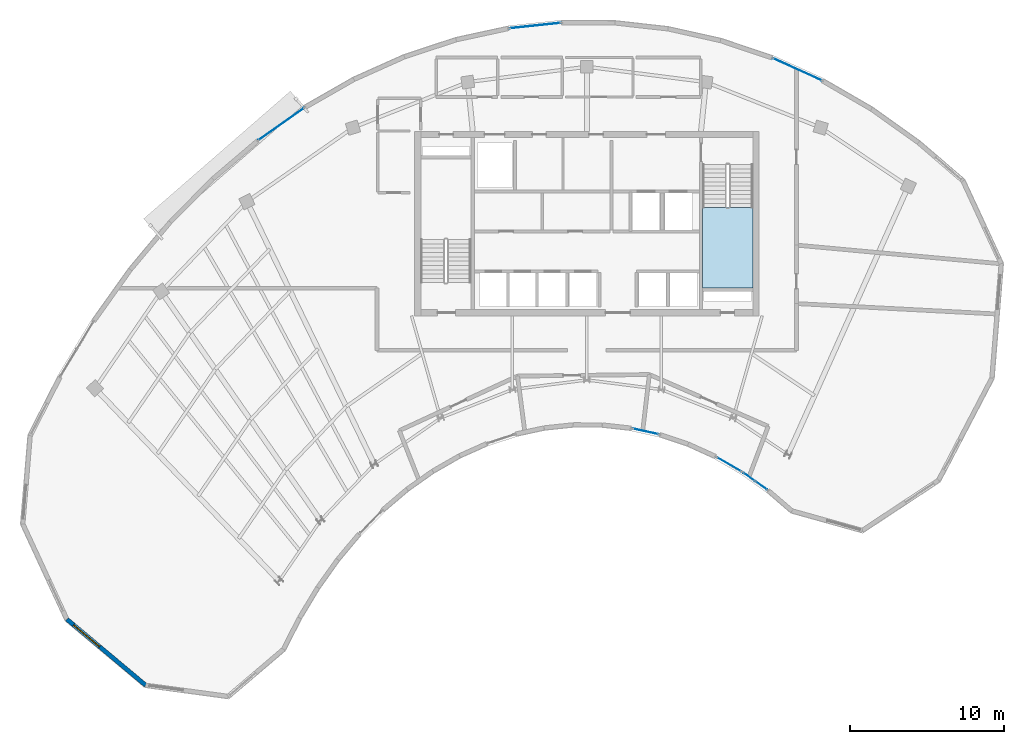
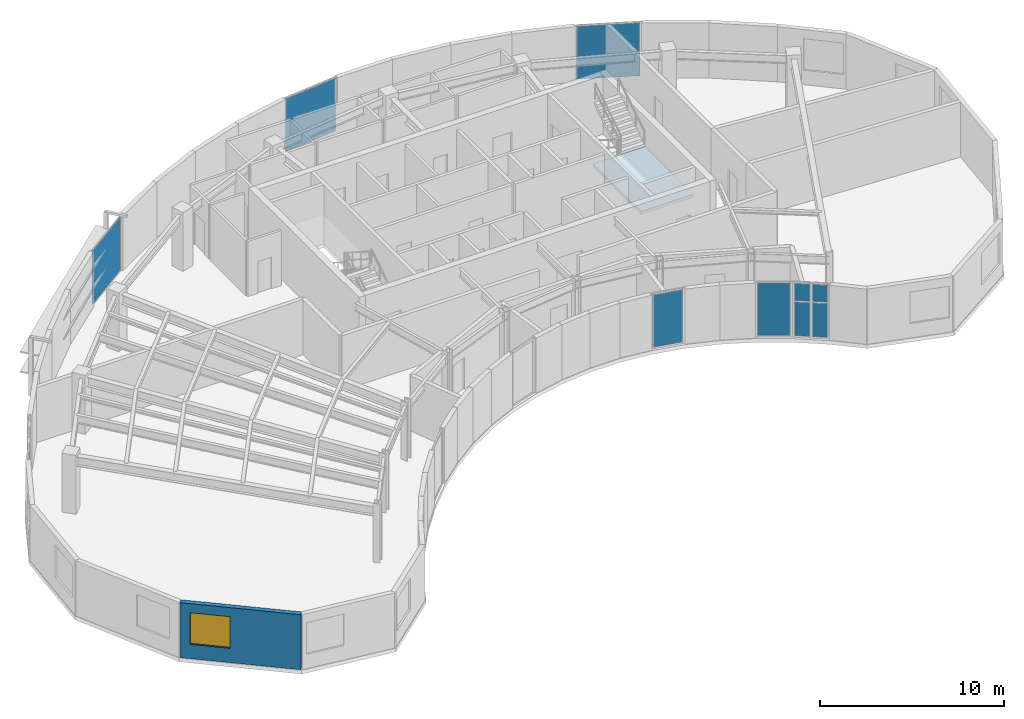
# One storey, part 7 of 12: 9 plates, 1 slab, 1 wall, 1 window, 1 opening, 7 elements without a shape of their own.
"""IFC4 building model written with IfcOpenShell, lengths in metres."""

import ifcopenshell
import ifcopenshell.guid

model = None  # the IFC model being written
_history = None  # IfcOwnerHistory: only IFC2X3 demands one
_inside = {}  # id of a spatial element -> (the spatial element, [elements in it])
_under = {}  # id of a project, library or spatial element -> (it, [spatial elements below it])
_declared = {}  # id of a project -> (the project, [libraries it declares])
_typed = {}  # id of a type object -> (the type object, [elements of that type])
_made_of = {}  # id of a material, layer set ... -> (it, [elements and type objects made of it])


def new_model(schema):
    """Start an empty IFC model of exactly this schema.

    Asked for "IFC4X3", IfcOpenShell would pick the latest addendum, in which some entities
    have other attributes; the version numbers below select the first issue.
    IFC2X3 requires an IfcOwnerHistory on every rooted entity: one is made here for all.
    """
    global model, _history
    if schema == "IFC4X3":
        model = ifcopenshell.file(schema_version=(4, 3, 0, 0))
    else:
        model = ifcopenshell.file(schema=schema)
    _inside.clear()
    _under.clear()
    _declared.clear()
    _typed.clear()
    _made_of.clear()
    _history = None
    if model.schema == "IFC2X3":
        org = make("IfcOrganization", Name="unknown")
        user = make(
            "IfcPersonAndOrganization",
            ThePerson=make("IfcPerson", FamilyName="unknown"),
            TheOrganization=org,
        )
        app = make(
            "IfcApplication",
            ApplicationDeveloper=org,
            Version="unknown",
            ApplicationFullName="unknown",
            ApplicationIdentifier="unknown",
        )
        _history = make(
            "IfcOwnerHistory",
            OwningUser=user,
            OwningApplication=app,
            ChangeAction="ADDED",
            CreationDate=0,
        )
    return model


def make(cls, **values):
    """One entity of the class cls with the attributes given. An attribute that is None is left unset."""
    return model.create_entity(
        cls, **{name: value for name, value in values.items() if value is not None}
    )


def rooted(cls, **values):
    """An entity with a GlobalId (a new one), such as an element, a storey or a relation."""
    return make(cls, GlobalId=ifcopenshell.guid.new(), OwnerHistory=_history, **values)


def si_unit(unit_type, name, prefix=None):
    """IfcSIUnit, for example si_unit("LENGTHUNIT", "METRE", prefix="MILLI")."""
    return make("IfcSIUnit", UnitType=unit_type, Prefix=prefix, Name=name)


def assignment(units):
    """IfcUnitAssignment: the units of a project."""
    return None if units is None else make("IfcUnitAssignment", Units=units)


def point(xyz):
    """IfcCartesianPoint."""
    return None if xyz is None else make("IfcCartesianPoint", Coordinates=xyz)


def direction(xyz):
    """IfcDirection."""
    return None if xyz is None else make("IfcDirection", DirectionRatios=xyz)


def frame(location, z_axis=None, x_axis=None):
    """IfcAxis2Placement3D, a coordinate frame: its origin and axes. An axis left out is left unset."""
    return make(
        "IfcAxis2Placement3D",
        Location=point(location),
        Axis=direction(z_axis),
        RefDirection=direction(x_axis),
    )


def frame_2d(location, x_axis=None):
    """IfcAxis2Placement2D, a coordinate frame in the plane: its origin and x axis."""
    return make(
        "IfcAxis2Placement2D", Location=point(location), RefDirection=direction(x_axis)
    )


def origin():
    """The frame at (0, 0, 0) with its axes left unset."""
    return frame((0.0, 0.0, 0.0))


def origin_2d():
    """The frame at (0, 0) in the plane with its x axis left unset."""
    return frame_2d((0.0, 0.0))


def place(relative_to, where):
    """IfcLocalPlacement: puts the frame where relative to a parent placement (None: the world)."""
    return make(
        "IfcLocalPlacement", PlacementRelTo=relative_to, RelativePlacement=where
    )


def context(
    kind, dimensions, precision=None, world=None, true_north=None, identifier=None
):
    """IfcGeometricRepresentationContext, for example the 3D "Model" context."""
    return make(
        "IfcGeometricRepresentationContext",
        ContextIdentifier=identifier,
        ContextType=kind,
        CoordinateSpaceDimension=dimensions,
        Precision=precision,
        WorldCoordinateSystem=world,
        TrueNorth=true_north,
    )


def subcontext(parent, identifier, kind, view, scale=None):
    """IfcGeometricRepresentationSubContext, for example "Body" below "Model"."""
    return make(
        "IfcGeometricRepresentationSubContext",
        ContextIdentifier=identifier,
        ContextType=kind,
        ParentContext=parent,
        TargetScale=scale,
        TargetView=view,
    )


def project(units=None, contexts=None):
    """IfcProject with its units and contexts."""
    return rooted(
        "IfcProject",
        Name="project",
        RepresentationContexts=contexts,
        UnitsInContext=assignment(units),
    )


def spatial(cls, under=None, at=None, **own):
    """A site, building, storey or space (cls), placed at a placement, below another one or the project."""
    s = rooted(cls, ObjectPlacement=at, **own)
    if under is not None:
        _under.setdefault(under.id(), (under, []))[1].append(s)
    return s


def polyline(points):
    """IfcPolyline through the points."""
    return make("IfcPolyline", Points=[point(p) for p in points])


def profile(cls, at=None, kind="AREA", **sizes):
    """A parametric profile (cls). Its sizes go by their IFC names, for example OverallWidth=200.0."""
    return make(cls, ProfileType=kind, Position=at, **sizes)


def rectangle(**sizes):
    """IfcRectangleProfileDef."""
    return profile("IfcRectangleProfileDef", **sizes)


def outline(outer, holes=None, kind="AREA"):
    """IfcArbitraryClosedProfileDef: a profile drawn as a closed curve; with holes, ...WithVoids."""
    if holes is None:
        return make("IfcArbitraryClosedProfileDef", ProfileType=kind, OuterCurve=outer)
    return make(
        "IfcArbitraryProfileDefWithVoids",
        ProfileType=kind,
        OuterCurve=outer,
        InnerCurves=holes,
    )


def extrude(swept, where, along, depth):
    """IfcExtrudedAreaSolid: the profile swept, set in the frame where, extruded along a direction by depth."""
    return make(
        "IfcExtrudedAreaSolid",
        SweptArea=swept,
        Position=where,
        ExtrudedDirection=direction(along),
        Depth=depth,
    )


def shape(context_of_items, identifier, shape_type, items):
    """IfcShapeRepresentation: the items that make up one representation, for example the "Body"."""
    return make(
        "IfcShapeRepresentation",
        ContextOfItems=context_of_items,
        RepresentationIdentifier=identifier,
        RepresentationType=shape_type,
        Items=items,
    )


def source(mapping_origin, context_of_items, identifier, shape_type, items):
    """IfcRepresentationMap: a shape defined once, which mapped items show again and again."""
    return make(
        "IfcRepresentationMap",
        MappingOrigin=mapping_origin,
        MappedRepresentation=shape(context_of_items, identifier, shape_type, items),
    )


def transform(
    local_origin,
    x_axis=None,
    y_axis=None,
    z_axis=None,
    scale=None,
    scale2=None,
    scale3=None,
    uniform=True,
):
    """IfcCartesianTransformationOperator3D, or its non-uniform kind. x_axis, y_axis, z_axis: its Axis1, 2, 3."""
    if uniform:
        return make(
            "IfcCartesianTransformationOperator3D",
            Axis1=direction(x_axis),
            Axis2=direction(y_axis),
            LocalOrigin=point(local_origin),
            Scale=scale,
            Axis3=direction(z_axis),
        )
    return make(
        "IfcCartesianTransformationOperator3DnonUniform",
        Axis1=direction(x_axis),
        Axis2=direction(y_axis),
        LocalOrigin=point(local_origin),
        Scale=scale,
        Axis3=direction(z_axis),
        Scale2=scale2,
        Scale3=scale3,
    )


def mapped(mapping_source, mapping_target):
    """IfcMappedItem: shows the shape of a source again, moved by a transform."""
    return make(
        "IfcMappedItem", MappingSource=mapping_source, MappingTarget=mapping_target
    )


def material(Name=None, Category=None):
    """IfcMaterial."""
    return make("IfcMaterial", Name=Name, Category=Category)


def layer(
    of_material, thickness, ventilated=None, Name=None, Category=None, Priority=None
):
    """IfcMaterialLayer: one layer of a wall or slab, of a material (None: an air gap)."""
    return make(
        "IfcMaterialLayer",
        Material=of_material,
        LayerThickness=thickness,
        IsVentilated=ventilated,
        Name=Name,
        Category=Category,
        Priority=Priority,
    )


def layer_set(layers, Name=None):
    """IfcMaterialLayerSet."""
    return make("IfcMaterialLayerSet", MaterialLayers=layers, LayerSetName=Name)


def made_of(thing, what):
    """Note that an element or type object is made of a material, layer set ...; save() writes the relation."""
    if what is not None:
        _made_of.setdefault(what.id(), (what, []))[1].append(thing)
    return thing


def type_object(cls, material=None, **own):
    """A type object (cls), such as IfcWallType, which elements share."""
    return made_of(rooted(cls, **own), material)


def type_shapes(of_type, sources):
    """Give a type object the sources (RepresentationMaps) that its elements show as mapped items."""
    of_type.RepresentationMaps = sources


def element(
    cls,
    number,
    at=None,
    inside=None,
    cuts=None,
    type_object=None,
    material=None,
    context=None,
    identifier="Body",
    shape_type=None,
    held_by="IfcProductDefinitionShape",
    body=None,
    shapes=None,
    **own,
):
    """One element of the class cls, such as IfcWall. Its Tag is "e" and its number.

    at: its placement. inside: the storey or other place that contains it. cuts: it is an
    opening in that element (IfcRelVoidsElement). A single representation is given by context,
    identifier, shape_type and body (its items); several are given by shapes. held_by: the class
    of the entity that holds the representations. save() writes the other relations.
    """
    e = rooted(cls, Tag="e%d" % number, ObjectPlacement=at, **own)
    if body is not None:
        shapes = [shape(context, identifier, shape_type, body)]
    if shapes is not None:
        e.Representation = make(held_by, Representations=shapes)
    if inside is not None:
        _inside.setdefault(inside.id(), (inside, []))[1].append(e)
    if cuts is not None:
        rooted(
            "IfcRelVoidsElement", RelatingBuildingElement=cuts, RelatedOpeningElement=e
        )
    if type_object is not None:
        _typed.setdefault(type_object.id(), (type_object, []))[1].append(e)
    return made_of(e, material)


def fill(opening, filler):
    """IfcRelFillsElement: the door or window that sits in an opening."""
    return rooted(
        "IfcRelFillsElement",
        RelatingOpeningElement=opening,
        RelatedBuildingElement=filler,
    )


def aggregate(whole, parts):
    """IfcRelAggregates: a whole, such as a stair, and the parts it consists of."""
    return rooted("IfcRelAggregates", RelatingObject=whole, RelatedObjects=parts)


def save(model, path):
    """Write the relations noted so far, then the file.

    IfcRelAggregates (storeys below a building ...), IfcRelContainedInSpatialStructure (elements
    in a storey), IfcRelDefinesByType, IfcRelAssociatesMaterial and IfcRelDeclares: one each for
    every whole, place, type object, material and project.
    """
    for whole, parts in _under.values():
        aggregate(whole, parts)
    for where, things in _inside.values():
        rooted(
            "IfcRelContainedInSpatialStructure",
            RelatedElements=things,
            RelatingStructure=where,
        )
    for kind, things in _typed.values():
        rooted("IfcRelDefinesByType", RelatedObjects=things, RelatingType=kind)
    for what, things in _made_of.values():
        rooted("IfcRelAssociatesMaterial", RelatedObjects=things, RelatingMaterial=what)
    for by, libraries in _declared.values():
        rooted("IfcRelDeclares", RelatingContext=by, RelatedDefinitions=libraries)
    model.write(path)


model = new_model("IFC4")

# Units and contexts
model_context = context("Model", 3, precision=1e-05, world=origin(), true_north=direction((0.0, 1.0)))
body_context = subcontext(model_context, "Body", "Model", "MODEL_VIEW")
ifc_project = project(units=[si_unit("LENGTHUNIT", "METRE"), si_unit("AREAUNIT", "SQUARE_METRE"), si_unit("VOLUMEUNIT", "CUBIC_METRE"), si_unit("PLANEANGLEUNIT", "RADIAN"), si_unit("MASSUNIT", "GRAM", prefix="KILO")], contexts=[model_context])

# Site, building, storey
site_placement = place(None, origin())
site = spatial("IfcSite", under=ifc_project, at=site_placement, CompositionType="ELEMENT")
building_placement = place(site_placement, origin())
building = spatial("IfcBuilding", under=site, at=building_placement, Name="Breltana Convention Tower", CompositionType="ELEMENT")
storey_placement = place(building_placement, frame((0.0, 0.0, 264.0)))
storey = spatial("IfcBuildingStorey", under=building, at=storey_placement, Name="L64", CompositionType="ELEMENT", Elevation=264.0)

# Stair, slab
ifc_material_1 = material(Name="Concrete C40/50", Category="concrete")
stair_type = type_object("IfcStairType", Name="ST-DOG-1560-R177", PredefinedType="HALF_TURN_STAIR", material=ifc_material_1)
stair_placement = place(storey_placement, origin())
stair = element("IfcStair", 1, at=stair_placement, inside=storey, type_object=stair_type, Name="L64 Protected Core Exit Stair ST-2", PredefinedType="HALF_TURN_STAIR")
ifc_layer_1 = layer(ifc_material_1, 0.199951171875, Name="Concrete C40/50")
ifc_layer_set_1 = layer_set([ifc_layer_1], Name="Concrete C40/50")
slab_type = type_object("IfcSlabType", Name="SL-STAIR-LANDING-200", PredefinedType="LANDING", material=ifc_layer_set_1)
slab_placement = place(storey_placement, frame((0.0, 0.0, 1.75)))
slab = element("IfcSlab", 2, at=slab_placement, type_object=slab_type, Name="ST-2 landing 1", PredefinedType="LANDING", context=body_context, shape_type="SweptSolid", body=[
    extrude(outline(polyline([(55.530029296875, 67.239990234375), (55.530029296875, 62.0), (58.800048828125, 62.0), (58.800048828125, 67.239990234375), (55.530029296875, 67.239990234375)])), origin(), (0.0, 0.0, 1.0), 0.199951171875),
])
aggregate(stair, [slab])

# Curtain wall, plates
ifc_material_2 = material(Name="Aluminium Anodised Bronze Frame", Category="aluminium")
ifc_layer_2 = layer(ifc_material_2, 0.18994140625, Name="Aluminium Anodised Bronze Frame")
ifc_layer_set_2 = layer_set([ifc_layer_2], Name="Aluminium Anodised Bronze Frame")
curtain_wall_type_1 = type_object("IfcCurtainWallType", Name="CW-SYS-1", PredefinedType="NOTDEFINED", material=ifc_layer_set_2)
curtain_wall_1_placement = place(storey_placement, origin())
curtain_wall_1 = element("IfcCurtainWall", 3, at=curtain_wall_1_placement, inside=storey, type_object=curtain_wall_type_1, Name="L64 inner south-court glazing 1", PredefinedType="NOTDEFINED")
ifc_material_3 = material(Name="Glass Low-E Double Glazing", Category="glass")
ifc_layer_3 = layer(ifc_material_3, 0.028076171875, Name="Glass Low-E Double Glazing")
ifc_layer_set_3 = layer_set([ifc_layer_3], Name="Glass Low-E Double Glazing")
plate_type_1 = type_object("IfcPlateType", Name="CWP-IGU-28", PredefinedType="CURTAIN_PANEL", material=ifc_layer_set_3)
shared_shape_1 = source(origin(), body_context, "Body", "SweptSolid", [
    extrude(rectangle(XDim=0.89599609375, YDim=0.028076171875, at=origin_2d()), origin(), (0.0, 0.0, 1.0), 2.25244140625),
])
plate_1_placement = place(storey_placement, frame((59.3466796875, 49.1650390625, 0.080078125), z_axis=(0.0, 0.0, 1.0), x_axis=(-0.814148872575, 0.58065619198, 0.0)))
plate_1 = element("IfcPlate", 4, at=plate_1_placement, type_object=plate_type_1, Name="CW-01 panel 1.1", PredefinedType="CURTAIN_PANEL", context=body_context, shape_type="MappedRepresentation", body=[
    mapped(shared_shape_1, transform((0.0, 0.0, 0.0), scale=1.0)),
])
plate_2_placement = place(storey_placement, frame((58.552001953125, 49.731689453125, 0.080078125), z_axis=(0.0, 0.0, 1.0), x_axis=(-0.814148872575, 0.58065619198, 0.0)))
plate_2 = element("IfcPlate", 5, at=plate_2_placement, type_object=plate_type_1, Name="CW-01 panel 2.1", PredefinedType="CURTAIN_PANEL", context=body_context, shape_type="MappedRepresentation", body=[
    mapped(shared_shape_1, transform((0.0, 0.0, 0.0), scale=1.0)),
])
shared_shape_2 = source(origin(), body_context, "Body", "SweptSolid", [
    extrude(rectangle(XDim=0.89599609375, YDim=0.028076171875, at=origin_2d()), origin(), (0.0, 0.0, 1.0), 1.157470703125),
])
plate_3_placement = place(storey_placement, frame((59.3466796875, 49.1650390625, 2.41259765625), z_axis=(0.0, 0.0, 1.0), x_axis=(-0.814148872575, 0.58065619198, 0.0)))
plate_3 = element("IfcPlate", 6, at=plate_3_placement, type_object=plate_type_1, Name="CW-01 panel 1.2", PredefinedType="CURTAIN_PANEL", context=body_context, shape_type="MappedRepresentation", body=[
    mapped(shared_shape_2, transform((0.0, 0.0, 0.0), scale=1.0)),
])
plate_4_placement = place(storey_placement, frame((58.552001953125, 49.731689453125, 2.41259765625), z_axis=(0.0, 0.0, 1.0), x_axis=(-0.814148872575, 0.58065619198, 0.0)))
plate_4 = element("IfcPlate", 7, at=plate_4_placement, type_object=plate_type_1, Name="CW-01 panel 2.2", PredefinedType="CURTAIN_PANEL", context=body_context, shape_type="MappedRepresentation", body=[
    mapped(shared_shape_2, transform((0.0, 0.0, 0.0), scale=1.0)),
])
aggregate(curtain_wall_1, [plate_1, plate_3, plate_2, plate_4])

# Curtain wall, plate
curtain_wall_2_placement = place(storey_placement, origin())
curtain_wall_2 = element("IfcCurtainWall", 8, at=curtain_wall_2_placement, inside=storey, type_object=curtain_wall_type_1, Name="L64 inner south-court glazing 2", PredefinedType="NOTDEFINED")
shared_shape_3 = source(origin(), body_context, "Body", "SweptSolid", [
    extrude(rectangle(XDim=1.828125, YDim=0.028076171875, at=origin_2d()), origin(), (0.0, 0.0, 1.0), 3.489990234375),
])
plate_5_placement = place(storey_placement, frame((57.24755859375, 50.5458984375, 0.080078125), z_axis=(0.0, 0.0, 1.0), x_axis=(-0.865321810221, 0.501216684434, 0.0)))
plate_5 = element("IfcPlate", 9, at=plate_5_placement, type_object=plate_type_1, Name="CW-01 panel 1.1", PredefinedType="CURTAIN_PANEL", context=body_context, shape_type="MappedRepresentation", body=[
    mapped(shared_shape_3, transform((0.0, 0.0, 0.0), scale=1.0)),
])
aggregate(curtain_wall_2, [plate_5])

curtain_wall_3_placement = place(storey_placement, origin())
curtain_wall_3 = element("IfcCurtainWall", 10, at=curtain_wall_3_placement, inside=storey, type_object=curtain_wall_type_1, Name="L64 inner south-court glazing 3", PredefinedType="NOTDEFINED")
shared_shape_4 = source(origin(), body_context, "Body", "SweptSolid", [
    extrude(rectangle(XDim=1.734130859375, YDim=0.028076171875, at=origin_2d()), origin(), (0.0, 0.0, 1.0), 3.489990234375),
])
plate_6_placement = place(storey_placement, frame((51.81884765625, 52.686767578125, 0.080078125), z_axis=(0.0, 0.0, 1.0), x_axis=(-0.976149777842, 0.217098160332, 0.0)))
plate_6 = element("IfcPlate", 11, at=plate_6_placement, type_object=plate_type_1, Name="CW-01 panel 1.1", PredefinedType="CURTAIN_PANEL", context=body_context, shape_type="MappedRepresentation", body=[
    mapped(shared_shape_4, transform((0.0, 0.0, 0.0), scale=1.0)),
])
aggregate(curtain_wall_3, [plate_6])

ifc_layer_4 = layer(ifc_material_2, 0.22998046875, Name="Aluminium Anodised Bronze Frame")
ifc_layer_set_4 = layer_set([ifc_layer_4], Name="Aluminium Anodised Bronze Frame")
curtain_wall_type_2 = type_object("IfcCurtainWallType", Name="CW-SYS-5", PredefinedType="NOTDEFINED", material=ifc_layer_set_4)
curtain_wall_4_placement = place(storey_placement, origin())
curtain_wall_4 = element("IfcCurtainWall", 12, at=curtain_wall_4_placement, inside=storey, type_object=curtain_wall_type_2, Name="L64 outer double-skin inner glazing 2", PredefinedType="NOTDEFINED")
ifc_layer_5 = layer(ifc_material_3, 0.035888671875, Name="Glass Low-E Double Glazing")
ifc_layer_set_5 = layer_set([ifc_layer_5], Name="Glass Low-E Double Glazing")
plate_type_2 = type_object("IfcPlateType", Name="CWP-IGU-36", PredefinedType="CURTAIN_PANEL", material=ifc_layer_set_5)
shared_shape_5 = source(origin(), body_context, "Body", "SweptSolid", [
    extrude(rectangle(XDim=3.61279296875, YDim=0.035888671875, at=origin_2d()), origin(), (0.0, 0.0, 1.0), 3.510009765625),
])
plate_7_placement = place(storey_placement, frame((28.128662109375, 72.673583984375, 0.06982421875), z_axis=(0.0, 0.0, 1.0), x_axis=(0.817009955402, 0.576623562452, 0.0)))
plate_7 = element("IfcPlate", 13, at=plate_7_placement, type_object=plate_type_2, Name="CW-05 panel 1.1", PredefinedType="CURTAIN_PANEL", context=body_context, shape_type="MappedRepresentation", body=[
    mapped(shared_shape_5, transform((0.0, 0.0, 0.0), scale=1.0)),
])
aggregate(curtain_wall_4, [plate_7])

curtain_wall_5_placement = place(storey_placement, origin())
curtain_wall_5 = element("IfcCurtainWall", 14, at=curtain_wall_5_placement, inside=storey, type_object=curtain_wall_type_2, Name="L64 outer double-skin inner glazing 3", PredefinedType="NOTDEFINED")
shared_shape_6 = source(origin(), body_context, "Body", "SweptSolid", [
    extrude(rectangle(XDim=3.329833984375, YDim=0.035888671875, at=origin_2d()), origin(), (0.0, 0.0, 1.0), 3.510009765625),
])
plate_8_placement = place(storey_placement, frame((44.63720703125, 79.08056640625, 0.06982421875), z_axis=(0.0, 0.0, 1.0), x_axis=(0.994424782701, 0.105448335932, 0.0)))
plate_8 = element("IfcPlate", 15, at=plate_8_placement, type_object=plate_type_2, Name="CW-05 panel 1.1", PredefinedType="CURTAIN_PANEL", context=body_context, shape_type="MappedRepresentation", body=[
    mapped(shared_shape_6, transform((0.0, 0.0, 0.0), scale=1.0)),
])
aggregate(curtain_wall_5, [plate_8])

curtain_wall_6_placement = place(storey_placement, origin())
curtain_wall_6 = element("IfcCurtainWall", 16, at=curtain_wall_6_placement, inside=storey, type_object=curtain_wall_type_2, Name="L64 outer double-skin inner glazing 4", PredefinedType="NOTDEFINED")
shared_shape_7 = source(origin(), body_context, "Body", "SweptSolid", [
    extrude(rectangle(XDim=3.462646484375, YDim=0.035888671875, at=origin_2d()), origin(), (0.0, 0.0, 1.0), 3.510009765625),
])
plate_9_placement = place(storey_placement, frame((61.686279296875, 76.234619140625, 0.06982421875), z_axis=(0.0, 0.0, 1.0), x_axis=(0.910487166611, -0.413537325324, 0.0)))
plate_9 = element("IfcPlate", 17, at=plate_9_placement, type_object=plate_type_2, Name="CW-05 panel 1.1", PredefinedType="CURTAIN_PANEL", context=body_context, shape_type="MappedRepresentation", body=[
    mapped(shared_shape_7, transform((0.0, 0.0, 0.0), scale=1.0)),
])
aggregate(curtain_wall_6, [plate_9])

# Wall, opening, window
ifc_material_4 = material(Name="Limestone Buff Insulated Wall", Category="masonry")
ifc_layer_6 = layer(ifc_material_4, 0.280029296875, Name="Limestone Buff Insulated Wall")
ifc_layer_set_6 = layer_set([ifc_layer_6], Name="Limestone Buff Insulated Wall")
wall_type = type_object("IfcWallType", Name="WL-EXT-NOSE-280", PredefinedType="SOLIDWALL", material=ifc_layer_set_6)
shared_shape_8 = source(origin(), body_context, "Body", "SweptSolid", [
    extrude(rectangle(XDim=6.67529296875, YDim=0.280029296875, at=frame_2d((3.337646484375, 0.0))), origin(), (0.0, 0.0, 1.0), 3.64990234375),
])
wall_placement = place(storey_placement, frame((19.30224609375, 36.1787109375, 0.0), z_axis=(0.0, 0.0, 1.0), x_axis=(-0.766726273546, 0.641974159491, 0.0)))
wall = element("IfcWall", 18, at=wall_placement, inside=storey, type_object=wall_type, Name="L64 curved limestone nose wall W4", PredefinedType="SOLIDWALL", context=body_context, shape_type="MappedRepresentation", body=[
    mapped(shared_shape_8, transform((0.0, 0.0, 0.0), scale=1.0)),
])
opening_placement = place(wall_placement, frame((3.906494140625, 0.0, 0.949951171875)))
opening = element("IfcOpeningElement", 19, at=opening_placement, cuts=wall, Name="Opening W-03", PredefinedType="OPENING", context=body_context, shape_type="SweptSolid", body=[
    extrude(rectangle(XDim=2.199951171875, YDim=2.10009765625, at=frame_2d((1.10009765625, 1.050048828125))), frame((0.0, 0.14990234375, 0.0), z_axis=(0.0, -1.0, 0.0), x_axis=(1.0, 0.0, 0.0)), (0.0, 0.0, 1.0), 0.300048828125),
])
ifc_material_5 = material(Name="Glass Low-E Insulated Window", Category="glass")
window_type = type_object("IfcWindowType", Name="WN-NOSE-2200X2100", PartitioningType="TRIPLE_PANEL_VERTICAL", PredefinedType="WINDOW", material=ifc_material_5)
shared_shape_9 = source(origin(), body_context, "Body", "SweptSolid", [
    extrude(rectangle(XDim=2.199951171875, YDim=2.10009765625, at=frame_2d((1.10009765625, 1.050048828125))), frame((0.0, 0.030029296875, 0.0), z_axis=(0.0, -1.0, 0.0), x_axis=(1.0, 0.0, 0.0)), (0.0, 0.0, 1.0), 0.06005859375),
])
type_shapes(window_type, [shared_shape_9])
window_placement = place(opening_placement, origin())
window = element("IfcWindow", 20, at=window_placement, inside=storey, type_object=window_type, Name="L64 nose window W4", OverallHeight=2.10009765625, OverallWidth=2.199951171875, PartitioningType="TRIPLE_PANEL_VERTICAL", PredefinedType="WINDOW", context=body_context, shape_type="MappedRepresentation", body=[
    mapped(shared_shape_9, transform((0.0, 0.0, 0.0), scale=1.0)),
])
fill(opening, window)

save(model, "model.ifc")
